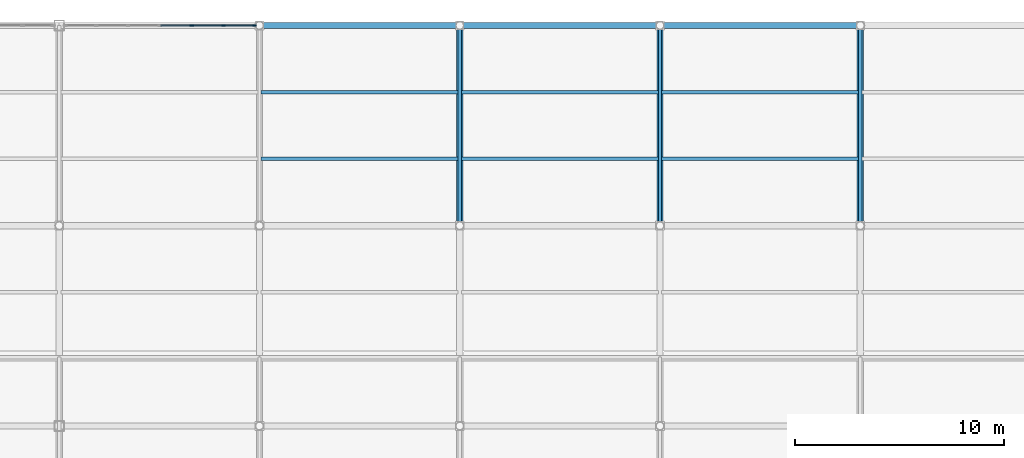
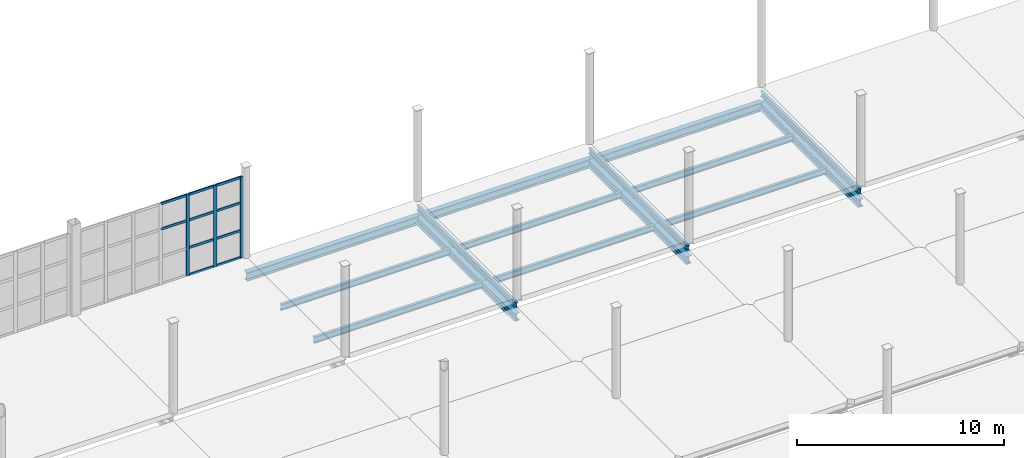
# One storey, part 46 of 85: 15 beams, 13 members, 1 element without a shape of its own.
"""IFC4 building model written with IfcOpenShell, lengths in metres."""

from ifc_helpers import new_model, si_unit, direction, frame, origin, origin_2d, place, context, subcontext, project, spatial, rectangle, i_section, extrude, material, layer, layer_set, material_profile, profile_set, type_object, element, aggregate, save


model = new_model("IFC4")

# Units and contexts
model_context = context("Model", 3, precision=1e-05, world=origin(), true_north=direction((0.0, 1.0)))
body_context = subcontext(model_context, "Body", "Model", "MODEL_VIEW")
ifc_project = project(units=[si_unit("LENGTHUNIT", "METRE"), si_unit("AREAUNIT", "SQUARE_METRE"), si_unit("VOLUMEUNIT", "CUBIC_METRE"), si_unit("PLANEANGLEUNIT", "RADIAN"), si_unit("MASSUNIT", "GRAM", prefix="KILO")], contexts=[model_context])

# Site, building, storey
site_placement = place(None, origin())
site = spatial("IfcSite", under=ifc_project, at=site_placement, CompositionType="ELEMENT")
building_placement = place(site_placement, origin())
building = spatial("IfcBuilding", under=site, at=building_placement, Name="Zarnetskaya Central Station", CompositionType="ELEMENT")
storey_placement = place(building_placement, origin())
storey = spatial("IfcBuildingStorey", under=building, at=storey_placement, Name="L00", CompositionType="ELEMENT", Elevation=0.0)

# Beams
ifc_material_1 = material(Name="Steel S355", Category="steel")
ifc_material_profile_1 = material_profile(ifc_material_1, i_section(OverallWidth=0.159912109375, OverallDepth=0.330078125, WebThickness=0.007568359375, FlangeThickness=0.011474609375, FilletRadius=0.01806640625, at=origin_2d()), Name="IPE 330")
ifc_profile_set_1 = profile_set([ifc_material_profile_1], Name="Steel S355")
beam_type_1 = type_object("IfcBeamType", Name="BM-SEC-330", PredefinedType="BEAM", material=ifc_profile_set_1)
for number, where, z_axis, x_axis, name in (
    (1, (144.0, 115.199951171875, -0.455078125), (0.0, 1.0, 0.0), (-1.0, 0.0, 0.0), "Platform transverse bearer GY-PLT-P4-R"),
    (2, (153.60009765625, 115.199951171875, -0.455078125), (0.0, 1.0, 0.0), (-1.0, 0.0, 0.0), "Platform transverse bearer GY-PLT-P4-S"),
    (3, (163.199951171875, 115.199951171875, -0.455078125), (0.0, 1.0, 0.0), (-1.0, 0.0, 0.0), "Platform transverse bearer GY-PLT-P4-T"),
):
    element("IfcBeam", number, at=place(storey_placement, frame(where, z_axis=z_axis, x_axis=x_axis)), inside=storey, type_object=beam_type_1, Name=name, PredefinedType="BEAM", context=body_context, shape_type="SweptSolid", body=[
        extrude(i_section(OverallWidth=0.159912109375, OverallDepth=0.330078125, WebThickness=0.007568359375, FlangeThickness=0.011474609375, FilletRadius=0.01806640625, at=origin_2d()), origin(), (0.0, 0.0, 1.0), 9.60009765625),
    ])
ifc_material_profile_2 = material_profile(ifc_material_1, i_section(OverallWidth=0.169921875, OverallDepth=0.360107421875, WebThickness=0.008056640625, FlangeThickness=0.0126953125, FilletRadius=0.01806640625, at=origin_2d()), Name="IPE 360")
ifc_profile_set_2 = profile_set([ifc_material_profile_2], Name="Steel S355")
beam_type_2 = type_object("IfcBeamType", Name="BM-SEC-360", PredefinedType="BEAM", material=ifc_profile_set_2)
for number, where, z_axis, x_axis, name in (
    (4, (134.47998046875, 118.39990234375, -1.090087890625), (1.0, 0.0, 0.0), (0.0, 1.0, 0.0), "Secondary floor beam SEC-L00-Z91-QR-1415-1"),
    (5, (134.47998046875, 121.60009765625, -1.090087890625), (1.0, 0.0, 0.0), (0.0, 1.0, 0.0), "Secondary floor beam SEC-L00-Z91-QR-1415-2"),
    (6, (144.080078125, 118.39990234375, -1.090087890625), (1.0, 0.0, 0.0), (0.0, 1.0, 0.0), "Secondary floor beam SEC-L00-Z91-RS-1415-1"),
    (7, (144.080078125, 121.60009765625, -1.090087890625), (1.0, 0.0, 0.0), (0.0, 1.0, 0.0), "Secondary floor beam SEC-L00-Z91-RS-1415-2"),
):
    element("IfcBeam", number, at=place(storey_placement, frame(where, z_axis=z_axis, x_axis=x_axis)), inside=storey, type_object=beam_type_2, Name=name, PredefinedType="BEAM", context=body_context, shape_type="SweptSolid", body=[
        extrude(i_section(OverallWidth=0.169921875, OverallDepth=0.360107421875, WebThickness=0.008056640625, FlangeThickness=0.0126953125, FilletRadius=0.01806640625, at=origin_2d()), origin(), (0.0, 0.0, 1.0), 9.43994140625),
    ])
for number, where, z_axis, x_axis, name in (
    (8, (153.679931640625, 118.39990234375, -1.090087890625), (1.0, 0.0, 0.0), (0.0, 1.0, 0.0), "Secondary floor beam SEC-L00-Z91-ST-1415-1"),
    (9, (153.679931640625, 121.60009765625, -1.090087890625), (1.0, 0.0, 0.0), (0.0, 1.0, 0.0), "Secondary floor beam SEC-L00-Z91-ST-1415-2"),
):
    element("IfcBeam", number, at=place(storey_placement, frame(where, z_axis=z_axis, x_axis=x_axis)), inside=storey, type_object=beam_type_2, Name=name, PredefinedType="BEAM", context=body_context, shape_type="SweptSolid", body=[
        extrude(i_section(OverallWidth=0.169921875, OverallDepth=0.360107421875, WebThickness=0.008056640625, FlangeThickness=0.0126953125, FilletRadius=0.01806640625, at=origin_2d()), origin(), (0.0, 0.0, 1.0), 9.440185546875),
    ])

# Curtain wall, members
ifc_material_2 = material(Name="Low-E insulated glass", Category="glass")
ifc_layer = layer(ifc_material_2, 0.16796875, Name="Low-E insulated glass", Category="glass")
ifc_layer_set = layer_set([ifc_layer], Name="Low-E insulated glass")
curtain_wall_type = type_object("IfcCurtainWallType", Name="CW-SYS-13", PredefinedType="USERDEFINED", material=ifc_layer_set)
curtain_wall_placement = place(storey_placement, origin())
curtain_wall = element("IfcCurtainWall", 10, at=curtain_wall_placement, inside=storey, type_object=curtain_wall_type, Name="Curtain wall CW-L00-185", ObjectType="CURTAIN WALL", PredefinedType="USERDEFINED")
ifc_material_3 = material(Name="Anodised aluminium", Category="aluminium")
ifc_material_profile_3 = material_profile(ifc_material_3, rectangle(XDim=0.070068359375, YDim=0.179931640625, at=origin_2d()), Name="ALU MULL 70x180")
ifc_profile_set_3 = profile_set([ifc_material_profile_3], Name="Anodised aluminium")
member_type_1 = type_object("IfcMemberType", Name="CW-MULL-180", PredefinedType="MULLION", material=ifc_profile_set_3)
member_1_placement = place(storey_placement, frame((131.14794921875, 124.800048828125, 0.0), z_axis=(0.0, 0.0, 1.0), x_axis=(0.0, 1.0, 0.0)))
member_1 = element("IfcMember", 11, at=member_1_placement, type_object=member_type_1, Name="CW-04 mullion 5", PredefinedType="MULLION", context=body_context, shape_type="SweptSolid", body=[
    extrude(rectangle(XDim=0.070068359375, YDim=0.179931640625, at=origin_2d()), origin(), (0.0, 0.0, 1.0), 4.800048828125),
])
member_2_placement = place(storey_placement, frame((132.67236328125, 124.800048828125, 0.0), z_axis=(0.0, 0.0, 1.0), x_axis=(0.0, 1.0, 0.0)))
member_2 = element("IfcMember", 12, at=member_2_placement, type_object=member_type_1, Name="CW-04 mullion 6", PredefinedType="MULLION", context=body_context, shape_type="SweptSolid", body=[
    extrude(rectangle(XDim=0.070068359375, YDim=0.179931640625, at=origin_2d()), origin(), (0.0, 0.0, 1.0), 4.800048828125),
])
member_3_placement = place(storey_placement, frame((134.161865234375, 124.800048828125, 0.0), z_axis=(0.0, 0.0, 1.0), x_axis=(0.0, 1.0, 0.0)))
member_3 = element("IfcMember", 13, at=member_3_placement, type_object=member_type_1, Name="CW-04 mullion 7", PredefinedType="MULLION", context=body_context, shape_type="SweptSolid", body=[
    extrude(rectangle(XDim=0.070068359375, YDim=0.179931640625, at=origin_2d()), origin(), (0.0, 0.0, 1.0), 4.800048828125),
])
ifc_material_profile_4 = material_profile(ifc_material_3, rectangle(XDim=0.070068359375, YDim=0.139892578125, at=origin_2d()), Name="ALU TRAN 70x140")
ifc_profile_set_4 = profile_set([ifc_material_profile_4], Name="Anodised aluminium")
member_type_2 = type_object("IfcMemberType", Name="CW-TRAN-140", PredefinedType="USERDEFINED", material=ifc_profile_set_4)
member_4_placement = place(storey_placement, frame((129.658447265625, 124.800048828125, 3.263916015625), z_axis=(1.0, 0.0, 0.0), x_axis=(0.0, 1.0, 0.0)))
member_4 = element("IfcMember", 14, at=member_4_placement, type_object=member_type_2, Name="CW-04 transom 4.3", ObjectType="TRANSOM", PredefinedType="USERDEFINED", context=body_context, shape_type="SweptSolid", body=[
    extrude(rectangle(XDim=0.070068359375, YDim=0.139892578125, at=origin_2d()), origin(), (0.0, 0.0, 1.0), 1.454345703125),
])
member_5_placement = place(storey_placement, frame((129.658447265625, 124.800048828125, 4.764892578125), z_axis=(1.0, 0.0, 0.0), x_axis=(0.0, 1.0, 0.0)))
member_5 = element("IfcMember", 15, at=member_5_placement, type_object=member_type_2, Name="CW-04 transom 4.4", ObjectType="TRANSOM", PredefinedType="USERDEFINED", context=body_context, shape_type="SweptSolid", body=[
    extrude(rectangle(XDim=0.070068359375, YDim=0.139892578125, at=origin_2d()), origin(), (0.0, 0.0, 1.0), 1.454345703125),
])
member_6_placement = place(storey_placement, frame((131.182861328125, 124.800048828125, 0.034912109375), z_axis=(1.0, 0.0, 0.0), x_axis=(0.0, 1.0, 0.0)))
member_6 = element("IfcMember", 16, at=member_6_placement, type_object=member_type_2, Name="CW-04 transom 5.1", ObjectType="TRANSOM", PredefinedType="USERDEFINED", context=body_context, shape_type="SweptSolid", body=[
    extrude(rectangle(XDim=0.070068359375, YDim=0.139892578125, at=origin_2d()), origin(), (0.0, 0.0, 1.0), 1.45458984375),
])
member_7_placement = place(storey_placement, frame((131.182861328125, 124.800048828125, 1.632080078125), z_axis=(1.0, 0.0, 0.0), x_axis=(0.0, 1.0, 0.0)))
member_7 = element("IfcMember", 17, at=member_7_placement, type_object=member_type_2, Name="CW-04 transom 5.2", ObjectType="TRANSOM", PredefinedType="USERDEFINED", context=body_context, shape_type="SweptSolid", body=[
    extrude(rectangle(XDim=0.070068359375, YDim=0.139892578125, at=origin_2d()), origin(), (0.0, 0.0, 1.0), 1.45458984375),
])
member_8_placement = place(storey_placement, frame((131.182861328125, 124.800048828125, 3.263916015625), z_axis=(1.0, 0.0, 0.0), x_axis=(0.0, 1.0, 0.0)))
member_8 = element("IfcMember", 18, at=member_8_placement, type_object=member_type_2, Name="CW-04 transom 5.3", ObjectType="TRANSOM", PredefinedType="USERDEFINED", context=body_context, shape_type="SweptSolid", body=[
    extrude(rectangle(XDim=0.070068359375, YDim=0.139892578125, at=origin_2d()), origin(), (0.0, 0.0, 1.0), 1.45458984375),
])
member_9_placement = place(storey_placement, frame((131.182861328125, 124.800048828125, 4.764892578125), z_axis=(1.0, 0.0, 0.0), x_axis=(0.0, 1.0, 0.0)))
member_9 = element("IfcMember", 19, at=member_9_placement, type_object=member_type_2, Name="CW-04 transom 5.4", ObjectType="TRANSOM", PredefinedType="USERDEFINED", context=body_context, shape_type="SweptSolid", body=[
    extrude(rectangle(XDim=0.070068359375, YDim=0.139892578125, at=origin_2d()), origin(), (0.0, 0.0, 1.0), 1.45458984375),
])
member_10_placement = place(storey_placement, frame((132.707275390625, 124.800048828125, 0.034912109375), z_axis=(1.0, 0.0, 0.0), x_axis=(0.0, 1.0, 0.0)))
member_10 = element("IfcMember", 20, at=member_10_placement, type_object=member_type_2, Name="CW-04 transom 6.1", ObjectType="TRANSOM", PredefinedType="USERDEFINED", context=body_context, shape_type="SweptSolid", body=[
    extrude(rectangle(XDim=0.070068359375, YDim=0.139892578125, at=origin_2d()), origin(), (0.0, 0.0, 1.0), 1.41943359375),
])
member_11_placement = place(storey_placement, frame((132.707275390625, 124.800048828125, 1.632080078125), z_axis=(1.0, 0.0, 0.0), x_axis=(0.0, 1.0, 0.0)))
member_11 = element("IfcMember", 21, at=member_11_placement, type_object=member_type_2, Name="CW-04 transom 6.2", ObjectType="TRANSOM", PredefinedType="USERDEFINED", context=body_context, shape_type="SweptSolid", body=[
    extrude(rectangle(XDim=0.070068359375, YDim=0.139892578125, at=origin_2d()), origin(), (0.0, 0.0, 1.0), 1.41943359375),
])
member_12_placement = place(storey_placement, frame((132.707275390625, 124.800048828125, 3.263916015625), z_axis=(1.0, 0.0, 0.0), x_axis=(0.0, 1.0, 0.0)))
member_12 = element("IfcMember", 22, at=member_12_placement, type_object=member_type_2, Name="CW-04 transom 6.3", ObjectType="TRANSOM", PredefinedType="USERDEFINED", context=body_context, shape_type="SweptSolid", body=[
    extrude(rectangle(XDim=0.070068359375, YDim=0.139892578125, at=origin_2d()), origin(), (0.0, 0.0, 1.0), 1.41943359375),
])
member_13_placement = place(storey_placement, frame((132.707275390625, 124.800048828125, 4.764892578125), z_axis=(1.0, 0.0, 0.0), x_axis=(0.0, 1.0, 0.0)))
member_13 = element("IfcMember", 23, at=member_13_placement, type_object=member_type_2, Name="CW-04 transom 6.4", ObjectType="TRANSOM", PredefinedType="USERDEFINED", context=body_context, shape_type="SweptSolid", body=[
    extrude(rectangle(XDim=0.070068359375, YDim=0.139892578125, at=origin_2d()), origin(), (0.0, 0.0, 1.0), 1.41943359375),
])
aggregate(curtain_wall, [member_1, member_2, member_3, member_4, member_5, member_6, member_7, member_8, member_9, member_10, member_11, member_12, member_13])

# Beams
ifc_material_profile_5 = material_profile(ifc_material_1, i_section(OverallWidth=0.300048828125, OverallDepth=0.449951171875, WebThickness=0.013916015625, FlangeThickness=0.02587890625, FilletRadius=0.027099609375, at=origin_2d()), Name="HEB 450")
ifc_profile_set_5 = profile_set([ifc_material_profile_5], Name="Steel S355")
beam_type_3 = type_object("IfcBeamType", Name="GD-SUB-450", PredefinedType="USERDEFINED", material=ifc_profile_set_5)
for number, where, z_axis, x_axis, name in (
    (24, (144.0, 115.199951171875, -1.135009765625), (0.0, 1.0, 0.0), (-1.0, 0.0, 0.0), "Grid girder GY-L00-R-1415"),
    (25, (153.60009765625, 115.199951171875, -1.135009765625), (0.0, 1.0, 0.0), (-1.0, 0.0, 0.0), "Grid girder GY-L00-S-1415"),
    (26, (163.199951171875, 115.199951171875, -1.135009765625), (0.0, 1.0, 0.0), (-1.0, 0.0, 0.0), "Grid girder GY-L00-T-1415"),
):
    element("IfcBeam", number, at=place(storey_placement, frame(where, z_axis=z_axis, x_axis=x_axis)), inside=storey, type_object=beam_type_3, Name=name, ObjectType="GIRDER", PredefinedType="USERDEFINED", context=body_context, shape_type="SweptSolid", body=[
        extrude(i_section(OverallWidth=0.300048828125, OverallDepth=0.449951171875, WebThickness=0.013916015625, FlangeThickness=0.02587890625, FilletRadius=0.027099609375, at=origin_2d()), origin(), (0.0, 0.0, 1.0), 9.60009765625),
    ])
ifc_material_profile_6 = material_profile(ifc_material_1, i_section(OverallWidth=0.300048828125, OverallDepth=0.5, WebThickness=0.014404296875, FlangeThickness=0.028076171875, FilletRadius=0.027099609375, at=origin_2d()), Name="HEB 500")
ifc_profile_set_6 = profile_set([ifc_material_profile_6], Name="Steel S355")
beam_type_4 = type_object("IfcBeamType", Name="GD-SUB-500", PredefinedType="USERDEFINED", material=ifc_profile_set_6)
for number, where, z_axis, x_axis, name in (
    (27, (134.39990234375, 124.800048828125, -1.159912109375), (1.0, 0.0, 0.0), (0.0, 1.0, 0.0), "Grid girder GX-L00-15-QR"),
    (28, (144.0, 124.800048828125, -1.159912109375), (1.0, 0.0, 0.0), (0.0, 1.0, 0.0), "Grid girder GX-L00-15-RS"),
):
    element("IfcBeam", number, at=place(storey_placement, frame(where, z_axis=z_axis, x_axis=x_axis)), inside=storey, type_object=beam_type_4, Name=name, ObjectType="GIRDER", PredefinedType="USERDEFINED", context=body_context, shape_type="SweptSolid", body=[
        extrude(i_section(OverallWidth=0.300048828125, OverallDepth=0.5, WebThickness=0.014404296875, FlangeThickness=0.028076171875, FilletRadius=0.027099609375, at=origin_2d()), origin(), (0.0, 0.0, 1.0), 9.60009765625),
    ])
beam_placement = place(storey_placement, frame((153.60009765625, 124.800048828125, -1.159912109375), z_axis=(1.0, 0.0, 0.0), x_axis=(0.0, 1.0, 0.0)))
element("IfcBeam", 29, at=beam_placement, inside=storey, type_object=beam_type_4, Name="Grid girder GX-L00-15-ST", ObjectType="GIRDER", PredefinedType="USERDEFINED", context=body_context, shape_type="SweptSolid", body=[
    extrude(i_section(OverallWidth=0.300048828125, OverallDepth=0.5, WebThickness=0.014404296875, FlangeThickness=0.028076171875, FilletRadius=0.027099609375, at=origin_2d()), origin(), (0.0, 0.0, 1.0), 9.599853515625),
])

save(model, "model.ifc")
